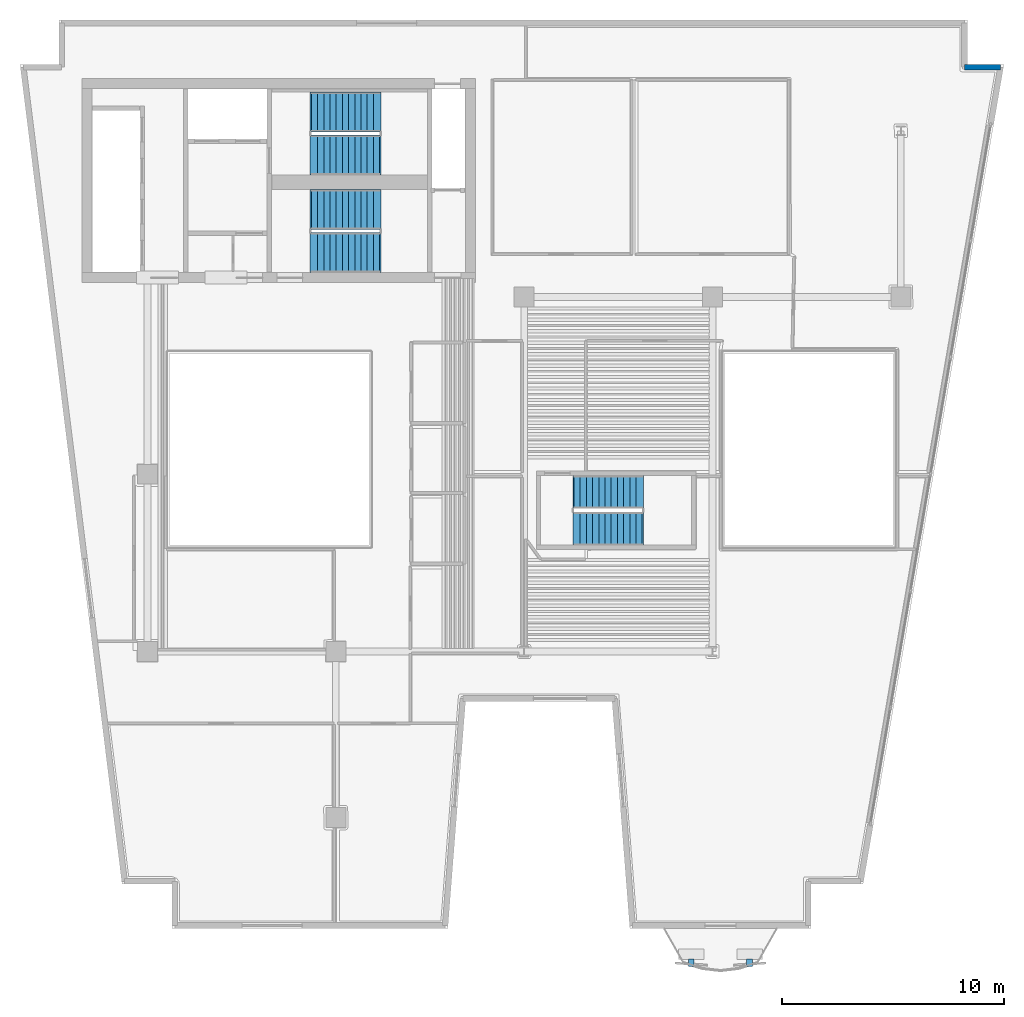
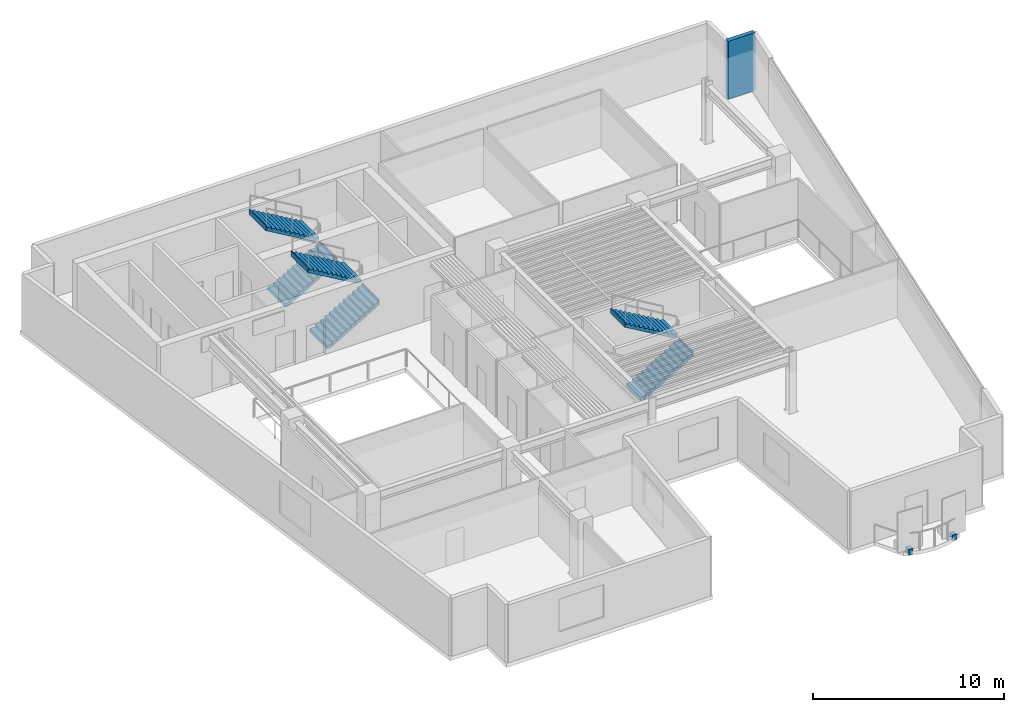
# One storey, part 6 of 10: 6 stair flights, 2 discrete accessories, 1 wall, 3 elements without a shape of their own.
"""IFC4 building model written with IfcOpenShell, lengths in metres."""

from ifc_helpers import new_model, si_unit, direction, frame, frame_2d, origin, origin_2d, place, context, subcontext, project, spatial, polyline, rectangle, outline, extrude, material, layer, layer_set, type_object, element, aggregate, save


model = new_model("IFC4")

# Units and contexts
model_context = context("Model", 3, precision=1e-05, world=origin(), true_north=direction((0.0, 1.0)))
body_context = subcontext(model_context, "Body", "Model", "MODEL_VIEW")
ifc_project = project(units=[si_unit("LENGTHUNIT", "METRE"), si_unit("AREAUNIT", "SQUARE_METRE"), si_unit("VOLUMEUNIT", "CUBIC_METRE"), si_unit("PLANEANGLEUNIT", "RADIAN"), si_unit("MASSUNIT", "GRAM", prefix="KILO")], contexts=[model_context])

# Site, building, storey
site_placement = place(None, origin())
site = spatial("IfcSite", under=ifc_project, at=site_placement, CompositionType="ELEMENT")
building_placement = place(site_placement, origin())
building = spatial("IfcBuilding", under=site, at=building_placement, Name="Caeloran Harvest Quay", CompositionType="ELEMENT")
storey_placement = place(building_placement, frame((0.0, 0.0, 191.64990234375)))
storey = spatial("IfcBuildingStorey", under=building, at=storey_placement, Name="L45", CompositionType="ELEMENT", Elevation=191.64990234375)

# Wall
ifc_material_1 = material(Name="Precast concrete C50/60", Category="concrete")
ifc_layer = layer(ifc_material_1, 0.260009765625, Name="Precast concrete C50/60")
ifc_layer_set = layer_set([ifc_layer], Name="Precast concrete C50/60")
wall_type = type_object("IfcWallType", Name="ENV-WALL-EW-260", PredefinedType="STANDARD", material=ifc_layer_set)
wall_placement = place(storey_placement, frame((45.3701171875, 41.3701171875, 0.0), z_axis=(0.0, 0.0, 1.0), x_axis=(1.0, 0.0, 0.0)))
element("IfcWall", 1, at=wall_placement, inside=storey, type_object=wall_type, Name="L45 Exterior Precast Concrete Facade Wall 8", PredefinedType="STANDARD", context=body_context, shape_type="SweptSolid", body=[
    extrude(rectangle(XDim=1.6318359375, YDim=0.260009765625, at=frame_2d((0.81591796875, 0.0))), origin(), (0.0, 0.0, 1.0), 3.7001953125),
])

# Stair, stair flights
ifc_material_2 = material(Name="Concrete C50/60", Category="concrete")
stair_type_1 = type_object("IfcStairType", Name="STAIR-STC-180", PredefinedType="HALF_TURN_STAIR", material=ifc_material_2)
stair_1_placement = place(storey_placement, origin())
stair_1 = element("IfcStair", 2, at=stair_1_placement, inside=storey, type_object=stair_type_1, Name="L45 Core Pressurized Exit Stair ST-C1", PredefinedType="HALF_TURN_STAIR")
stair_flight_type_1 = type_object("IfcStairFlightType", Name="FLIGHT-STC-180", PredefinedType="STRAIGHT", material=ifc_material_2)
stair_flight_1_placement = place(storey_placement, frame((15.89990234375, 37.39990234375, 0.0), z_axis=(0.0, 0.0, 1.0), x_axis=(1.0, 0.0, 0.0)))
stair_flight_1 = element("IfcStairFlight", 3, at=stair_flight_1_placement, type_object=stair_flight_type_1, Name="ST-C1 flight 1", NumberOfRisers=12, NumberOfTreads=11, PredefinedType="STRAIGHT", RiserHeight=0.164583333, TreadLength=0.28, context=body_context, shape_type="SweptSolid", body=[
    extrude(outline(polyline([(-0.054931640625, -0.044921875), (-0.054931640625, -0.031982421875), (-0.054931640625, -0.018798828125), (-0.054931640625, -0.005615234375), (-0.054931640625, 0.00732421875), (-0.054931640625, 0.0205078125), (-0.054931640625, 0.03369140625), (-0.054931640625, 0.046630859375), (-0.054931640625, 0.059814453125), (-0.054931640625, 0.072998046875), (-0.054931640625, 0.0859375), (-0.054931640625, 0.09912109375), (-0.054931640625, 0.1123046875), (-0.054931640625, 0.125244140625), (-0.054931640625, 0.138427734375), (-0.054931640625, 0.1513671875), (-0.054931640625, 0.16455078125), (0.280029296875, 0.16455078125), (0.280029296875, 0.3291015625), (0.56005859375, 0.3291015625), (0.56005859375, 0.49365234375), (0.840087890625, 0.49365234375), (0.840087890625, 0.658447265625), (1.1201171875, 0.658447265625), (1.1201171875, 0.822998046875), (1.39990234375, 0.822998046875), (1.39990234375, 0.987548828125), (1.679931640625, 0.987548828125), (1.679931640625, 1.152099609375), (1.9599609375, 1.152099609375), (1.9599609375, 1.316650390625), (2.239990234375, 1.316650390625), (2.239990234375, 1.481201171875), (2.52001953125, 1.481201171875), (2.52001953125, 1.645751953125), (2.800048828125, 1.645751953125), (2.800048828125, 1.810302734375), (3.080078125, 1.810302734375), (3.080078125, 1.97509765625), (3.135009765625, 1.97509765625), (3.135009765625, 1.953857421875), (3.135009765625, 1.9326171875), (3.135009765625, 1.91162109375), (3.135009765625, 1.890380859375), (3.135009765625, 1.869140625), (3.135009765625, 1.84814453125), (3.135009765625, 1.826904296875), (3.135009765625, 1.8056640625), (3.135009765625, 1.78466796875), (3.135009765625, 1.763427734375), (3.135009765625, 1.7421875), (3.135009765625, 1.72119140625), (3.135009765625, 1.699951171875), (3.135009765625, 1.678955078125), (3.135009765625, 1.65771484375), (3.135009765625, 1.636474609375), (3.080078125, 1.636474609375), (0.21923828125, -0.044921875), (-0.054931640625, -0.044921875)])), frame((0.0, 0.89990234375, 0.0), z_axis=(0.0, -1.0, 0.0), x_axis=(1.0, 0.0, 0.0)), (0.0, 0.0, 1.0), 1.800048828125),
])
stair_flight_2_placement = place(storey_placement, frame((18.97998046875, 39.35009765625, 1.97509765625), z_axis=(0.0, 0.0, 1.0), x_axis=(-1.0, 0.0, 0.0)))
stair_flight_2 = element("IfcStairFlight", 4, at=stair_flight_2_placement, type_object=stair_flight_type_1, Name="ST-C1 flight 2", NumberOfRisers=12, NumberOfTreads=11, PredefinedType="STRAIGHT", RiserHeight=0.164583333, TreadLength=0.28, context=body_context, shape_type="SweptSolid", body=[
    extrude(outline(polyline([(-0.054931640625, -0.044921875), (-0.054931640625, -0.031982421875), (-0.054931640625, -0.018798828125), (-0.054931640625, -0.005615234375), (-0.054931640625, 0.00732421875), (-0.054931640625, 0.0205078125), (-0.054931640625, 0.03369140625), (-0.054931640625, 0.046630859375), (-0.054931640625, 0.059814453125), (-0.054931640625, 0.072998046875), (-0.054931640625, 0.0859375), (-0.054931640625, 0.09912109375), (-0.054931640625, 0.1123046875), (-0.054931640625, 0.125244140625), (-0.054931640625, 0.138427734375), (-0.054931640625, 0.1513671875), (-0.054931640625, 0.16455078125), (0.280029296875, 0.16455078125), (0.280029296875, 0.3291015625), (0.56005859375, 0.3291015625), (0.56005859375, 0.49365234375), (0.840087890625, 0.49365234375), (0.840087890625, 0.658447265625), (1.1201171875, 0.658447265625), (1.1201171875, 0.822998046875), (1.39990234375, 0.822998046875), (1.39990234375, 0.987548828125), (1.679931640625, 0.987548828125), (1.679931640625, 1.152099609375), (1.9599609375, 1.152099609375), (1.9599609375, 1.316650390625), (2.239990234375, 1.316650390625), (2.239990234375, 1.481201171875), (2.52001953125, 1.481201171875), (2.52001953125, 1.645751953125), (2.800048828125, 1.645751953125), (2.800048828125, 1.810302734375), (3.080078125, 1.810302734375), (3.080078125, 1.97509765625), (3.135009765625, 1.97509765625), (3.135009765625, 1.953857421875), (3.135009765625, 1.9326171875), (3.135009765625, 1.91162109375), (3.135009765625, 1.890380859375), (3.135009765625, 1.869140625), (3.135009765625, 1.84814453125), (3.135009765625, 1.826904296875), (3.135009765625, 1.8056640625), (3.135009765625, 1.78466796875), (3.135009765625, 1.763427734375), (3.135009765625, 1.7421875), (3.135009765625, 1.72119140625), (3.135009765625, 1.699951171875), (3.135009765625, 1.678955078125), (3.135009765625, 1.65771484375), (3.135009765625, 1.636474609375), (3.080078125, 1.636474609375), (0.21923828125, -0.044921875), (-0.054931640625, -0.044921875)])), frame((0.0, 0.89990234375, 0.0), z_axis=(0.0, -1.0, 0.0), x_axis=(1.0, 0.0, 0.0)), (0.0, 0.0, 1.0), 1.800048828125),
])
aggregate(stair_1, [stair_flight_1, stair_flight_2])

stair_2_placement = place(storey_placement, origin())
stair_2 = element("IfcStair", 5, at=stair_2_placement, inside=storey, type_object=stair_type_1, Name="L45 Core Pressurized Exit Stair ST-C2", PredefinedType="HALF_TURN_STAIR")
stair_flight_3_placement = place(storey_placement, frame((15.89990234375, 33.0, 0.0), z_axis=(0.0, 0.0, 1.0), x_axis=(1.0, 0.0, 0.0)))
stair_flight_3 = element("IfcStairFlight", 6, at=stair_flight_3_placement, type_object=stair_flight_type_1, Name="ST-C2 flight 1", NumberOfRisers=12, NumberOfTreads=11, PredefinedType="STRAIGHT", RiserHeight=0.164583333, TreadLength=0.28, context=body_context, shape_type="SweptSolid", body=[
    extrude(outline(polyline([(-0.054931640625, -0.044921875), (-0.054931640625, -0.031982421875), (-0.054931640625, -0.018798828125), (-0.054931640625, -0.005615234375), (-0.054931640625, 0.00732421875), (-0.054931640625, 0.0205078125), (-0.054931640625, 0.03369140625), (-0.054931640625, 0.046630859375), (-0.054931640625, 0.059814453125), (-0.054931640625, 0.072998046875), (-0.054931640625, 0.0859375), (-0.054931640625, 0.09912109375), (-0.054931640625, 0.1123046875), (-0.054931640625, 0.125244140625), (-0.054931640625, 0.138427734375), (-0.054931640625, 0.1513671875), (-0.054931640625, 0.16455078125), (0.280029296875, 0.16455078125), (0.280029296875, 0.3291015625), (0.56005859375, 0.3291015625), (0.56005859375, 0.49365234375), (0.840087890625, 0.49365234375), (0.840087890625, 0.658447265625), (1.1201171875, 0.658447265625), (1.1201171875, 0.822998046875), (1.39990234375, 0.822998046875), (1.39990234375, 0.987548828125), (1.679931640625, 0.987548828125), (1.679931640625, 1.152099609375), (1.9599609375, 1.152099609375), (1.9599609375, 1.316650390625), (2.239990234375, 1.316650390625), (2.239990234375, 1.481201171875), (2.52001953125, 1.481201171875), (2.52001953125, 1.645751953125), (2.800048828125, 1.645751953125), (2.800048828125, 1.810302734375), (3.080078125, 1.810302734375), (3.080078125, 1.97509765625), (3.135009765625, 1.97509765625), (3.135009765625, 1.953857421875), (3.135009765625, 1.9326171875), (3.135009765625, 1.91162109375), (3.135009765625, 1.890380859375), (3.135009765625, 1.869140625), (3.135009765625, 1.84814453125), (3.135009765625, 1.826904296875), (3.135009765625, 1.8056640625), (3.135009765625, 1.78466796875), (3.135009765625, 1.763427734375), (3.135009765625, 1.7421875), (3.135009765625, 1.72119140625), (3.135009765625, 1.699951171875), (3.135009765625, 1.678955078125), (3.135009765625, 1.65771484375), (3.135009765625, 1.636474609375), (3.080078125, 1.636474609375), (0.21923828125, -0.044921875), (-0.054931640625, -0.044921875)])), frame((0.0, 0.89990234375, 0.0), z_axis=(0.0, -1.0, 0.0), x_axis=(1.0, 0.0, 0.0)), (0.0, 0.0, 1.0), 1.800048828125),
])
stair_flight_4_placement = place(storey_placement, frame((18.97998046875, 34.949951171875, 1.97509765625), z_axis=(0.0, 0.0, 1.0), x_axis=(-1.0, 0.0, 0.0)))
stair_flight_4 = element("IfcStairFlight", 7, at=stair_flight_4_placement, type_object=stair_flight_type_1, Name="ST-C2 flight 2", NumberOfRisers=12, NumberOfTreads=11, PredefinedType="STRAIGHT", RiserHeight=0.164583333, TreadLength=0.28, context=body_context, shape_type="SweptSolid", body=[
    extrude(outline(polyline([(-0.054931640625, -0.044921875), (-0.054931640625, -0.031982421875), (-0.054931640625, -0.018798828125), (-0.054931640625, -0.005615234375), (-0.054931640625, 0.00732421875), (-0.054931640625, 0.0205078125), (-0.054931640625, 0.03369140625), (-0.054931640625, 0.046630859375), (-0.054931640625, 0.059814453125), (-0.054931640625, 0.072998046875), (-0.054931640625, 0.0859375), (-0.054931640625, 0.09912109375), (-0.054931640625, 0.1123046875), (-0.054931640625, 0.125244140625), (-0.054931640625, 0.138427734375), (-0.054931640625, 0.1513671875), (-0.054931640625, 0.16455078125), (0.280029296875, 0.16455078125), (0.280029296875, 0.3291015625), (0.56005859375, 0.3291015625), (0.56005859375, 0.49365234375), (0.840087890625, 0.49365234375), (0.840087890625, 0.658447265625), (1.1201171875, 0.658447265625), (1.1201171875, 0.822998046875), (1.39990234375, 0.822998046875), (1.39990234375, 0.987548828125), (1.679931640625, 0.987548828125), (1.679931640625, 1.152099609375), (1.9599609375, 1.152099609375), (1.9599609375, 1.316650390625), (2.239990234375, 1.316650390625), (2.239990234375, 1.481201171875), (2.52001953125, 1.481201171875), (2.52001953125, 1.645751953125), (2.800048828125, 1.645751953125), (2.800048828125, 1.810302734375), (3.080078125, 1.810302734375), (3.080078125, 1.97509765625), (3.135009765625, 1.97509765625), (3.135009765625, 1.953857421875), (3.135009765625, 1.9326171875), (3.135009765625, 1.91162109375), (3.135009765625, 1.890380859375), (3.135009765625, 1.869140625), (3.135009765625, 1.84814453125), (3.135009765625, 1.826904296875), (3.135009765625, 1.8056640625), (3.135009765625, 1.78466796875), (3.135009765625, 1.763427734375), (3.135009765625, 1.7421875), (3.135009765625, 1.72119140625), (3.135009765625, 1.699951171875), (3.135009765625, 1.678955078125), (3.135009765625, 1.65771484375), (3.135009765625, 1.636474609375), (3.080078125, 1.636474609375), (0.21923828125, -0.044921875), (-0.054931640625, -0.044921875)])), frame((0.0, 0.89990234375, 0.0), z_axis=(0.0, -1.0, 0.0), x_axis=(1.0, 0.0, 0.0)), (0.0, 0.0, 1.0), 1.800048828125),
])
aggregate(stair_2, [stair_flight_3, stair_flight_4])

stair_type_2 = type_object("IfcStairType", Name="STAIR-STW-150", PredefinedType="HALF_TURN_STAIR", material=ifc_material_2)
stair_3_placement = place(storey_placement, origin())
stair_3 = element("IfcStair", 8, at=stair_3_placement, inside=storey, type_object=stair_type_2, Name="L45 East Wing Protected Exit Stair ST-W1", PredefinedType="HALF_TURN_STAIR")
stair_flight_type_2 = type_object("IfcStairFlightType", Name="FLIGHT-STW-150", PredefinedType="STRAIGHT", material=ifc_material_2)
stair_flight_5_placement = place(storey_placement, frame((27.75, 20.550048828125, 0.0), z_axis=(0.0, 0.0, 1.0), x_axis=(1.0, 0.0, 0.0)))
stair_flight_5 = element("IfcStairFlight", 9, at=stair_flight_5_placement, type_object=stair_flight_type_2, Name="ST-W1 flight 1", NumberOfRisers=12, NumberOfTreads=11, PredefinedType="STRAIGHT", RiserHeight=0.164583333, TreadLength=0.28, context=body_context, shape_type="SweptSolid", body=[
    extrude(outline(polyline([(-0.054931640625, -0.044921875), (-0.054931640625, -0.031982421875), (-0.054931640625, -0.018798828125), (-0.054931640625, -0.005615234375), (-0.054931640625, 0.00732421875), (-0.054931640625, 0.0205078125), (-0.054931640625, 0.03369140625), (-0.054931640625, 0.046630859375), (-0.054931640625, 0.059814453125), (-0.054931640625, 0.072998046875), (-0.054931640625, 0.0859375), (-0.054931640625, 0.09912109375), (-0.054931640625, 0.1123046875), (-0.054931640625, 0.125244140625), (-0.054931640625, 0.138427734375), (-0.054931640625, 0.1513671875), (-0.054931640625, 0.16455078125), (0.280029296875, 0.16455078125), (0.280029296875, 0.3291015625), (0.56005859375, 0.3291015625), (0.56005859375, 0.49365234375), (0.840087890625, 0.49365234375), (0.840087890625, 0.658447265625), (1.1201171875, 0.658447265625), (1.1201171875, 0.822998046875), (1.39990234375, 0.822998046875), (1.39990234375, 0.987548828125), (1.679931640625, 0.987548828125), (1.679931640625, 1.152099609375), (1.9599609375, 1.152099609375), (1.9599609375, 1.316650390625), (2.239990234375, 1.316650390625), (2.239990234375, 1.481201171875), (2.52001953125, 1.481201171875), (2.52001953125, 1.645751953125), (2.800048828125, 1.645751953125), (2.800048828125, 1.810302734375), (3.080078125, 1.810302734375), (3.080078125, 1.97509765625), (3.135009765625, 1.97509765625), (3.135009765625, 1.953857421875), (3.135009765625, 1.9326171875), (3.135009765625, 1.91162109375), (3.135009765625, 1.890380859375), (3.135009765625, 1.869140625), (3.135009765625, 1.84814453125), (3.135009765625, 1.826904296875), (3.135009765625, 1.8056640625), (3.135009765625, 1.78466796875), (3.135009765625, 1.763427734375), (3.135009765625, 1.7421875), (3.135009765625, 1.72119140625), (3.135009765625, 1.699951171875), (3.135009765625, 1.678955078125), (3.135009765625, 1.65771484375), (3.135009765625, 1.636474609375), (3.080078125, 1.636474609375), (0.21923828125, -0.044921875), (-0.054931640625, -0.044921875)])), frame((0.0, 0.75, 0.0), z_axis=(0.0, -1.0, 0.0), x_axis=(1.0, 0.0, 0.0)), (0.0, 0.0, 1.0), 1.5),
])
stair_flight_6_placement = place(storey_placement, frame((30.830078125, 22.199951171875, 1.97509765625), z_axis=(0.0, 0.0, 1.0), x_axis=(-1.0, 0.0, 0.0)))
stair_flight_6 = element("IfcStairFlight", 10, at=stair_flight_6_placement, type_object=stair_flight_type_2, Name="ST-W1 flight 2", NumberOfRisers=12, NumberOfTreads=11, PredefinedType="STRAIGHT", RiserHeight=0.164583333, TreadLength=0.28, context=body_context, shape_type="SweptSolid", body=[
    extrude(outline(polyline([(-0.054931640625, -0.044921875), (-0.054931640625, -0.031982421875), (-0.054931640625, -0.018798828125), (-0.054931640625, -0.005615234375), (-0.054931640625, 0.00732421875), (-0.054931640625, 0.0205078125), (-0.054931640625, 0.03369140625), (-0.054931640625, 0.046630859375), (-0.054931640625, 0.059814453125), (-0.054931640625, 0.072998046875), (-0.054931640625, 0.0859375), (-0.054931640625, 0.09912109375), (-0.054931640625, 0.1123046875), (-0.054931640625, 0.125244140625), (-0.054931640625, 0.138427734375), (-0.054931640625, 0.1513671875), (-0.054931640625, 0.16455078125), (0.280029296875, 0.16455078125), (0.280029296875, 0.3291015625), (0.56005859375, 0.3291015625), (0.56005859375, 0.49365234375), (0.840087890625, 0.49365234375), (0.840087890625, 0.658447265625), (1.1201171875, 0.658447265625), (1.1201171875, 0.822998046875), (1.39990234375, 0.822998046875), (1.39990234375, 0.987548828125), (1.679931640625, 0.987548828125), (1.679931640625, 1.152099609375), (1.9599609375, 1.152099609375), (1.9599609375, 1.316650390625), (2.239990234375, 1.316650390625), (2.239990234375, 1.481201171875), (2.52001953125, 1.481201171875), (2.52001953125, 1.645751953125), (2.800048828125, 1.645751953125), (2.800048828125, 1.810302734375), (3.080078125, 1.810302734375), (3.080078125, 1.97509765625), (3.135009765625, 1.97509765625), (3.135009765625, 1.953857421875), (3.135009765625, 1.9326171875), (3.135009765625, 1.91162109375), (3.135009765625, 1.890380859375), (3.135009765625, 1.869140625), (3.135009765625, 1.84814453125), (3.135009765625, 1.826904296875), (3.135009765625, 1.8056640625), (3.135009765625, 1.78466796875), (3.135009765625, 1.763427734375), (3.135009765625, 1.7421875), (3.135009765625, 1.72119140625), (3.135009765625, 1.699951171875), (3.135009765625, 1.678955078125), (3.135009765625, 1.65771484375), (3.135009765625, 1.636474609375), (3.080078125, 1.636474609375), (0.21923828125, -0.044921875), (-0.054931640625, -0.044921875)])), frame((0.0, 0.75, 0.0), z_axis=(0.0, -1.0, 0.0), x_axis=(1.0, 0.0, 0.0)), (0.0, 0.0, 1.0), 1.5),
])
aggregate(stair_3, [stair_flight_5, stair_flight_6])

# Discrete accessories
ifc_material_3 = material(Name="Stainless Steel Grade 316L", Category="steel")
discrete_accessory_type = type_object("IfcDiscreteAccessoryType", Name="BRACKET-SCREEN-SS", PredefinedType="BRACKET", material=ifc_material_3)
for number, where, z_axis, x_axis, name in (
    (11, (35.676513671875, 0.95361328125, -0.2197265625), (0.0, 0.0, 1.0), (1.0, 0.0, 0.0), "L45 Balcony Screen Support Bracket 1"),
    (12, (33.03662109375, 0.95361328125, -0.2197265625), (0.0, 0.0, 1.0), (1.0, 0.0, 0.0), "L45 Balcony Screen Support Bracket 2"),
):
    element("IfcDiscreteAccessory", number, at=place(storey_placement, frame(where, z_axis=z_axis, x_axis=x_axis)), inside=storey, type_object=discrete_accessory_type, Name=name, PredefinedType="BRACKET", context=body_context, shape_type="SweptSolid", body=[
        extrude(rectangle(XDim=0.260009765625, YDim=0.340087890625, at=origin_2d()), origin(), (0.0, 0.0, 1.0), 0.360107421875),
    ])

save(model, "model.ifc")
